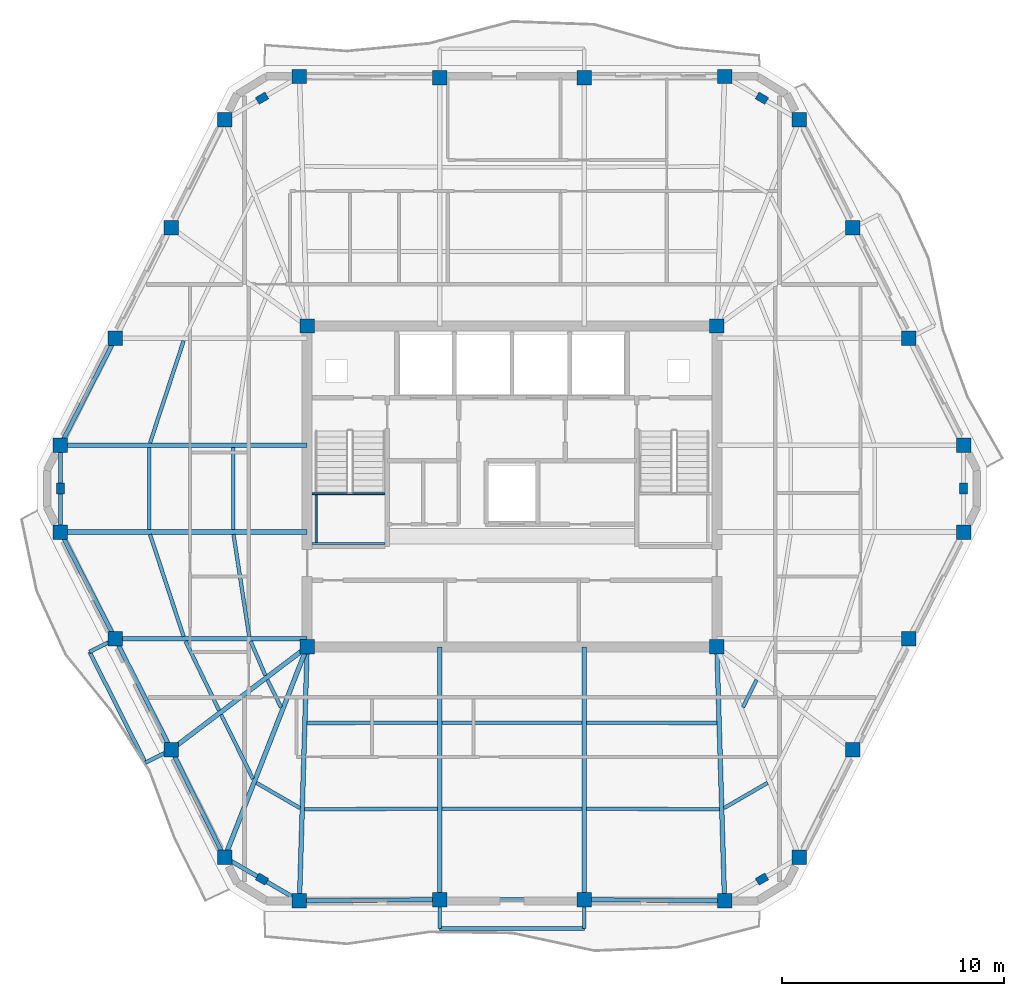
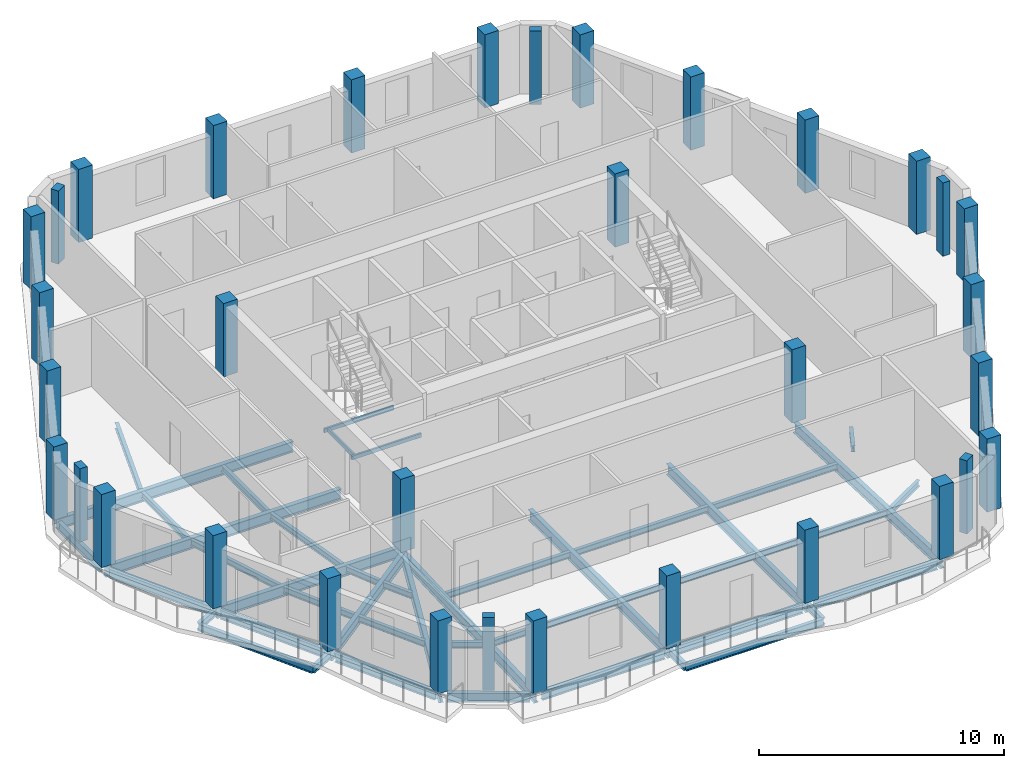
# One storey, part 1 of 10: 45 beams, 34 columns.
"""IFC4 building model written with IfcOpenShell, lengths in metres."""

from ifc_helpers import new_model, si_unit, direction, frame, origin, origin_2d, place, context, subcontext, project, spatial, rectangle, hollow_rectangle, i_section, extrude, material, material_profile, profile_set, type_object, element, save


model = new_model("IFC4")

# Units and contexts
model_context = context("Model", 3, precision=1e-05, world=origin(), true_north=direction((0.0, 1.0)))
body_context = subcontext(model_context, "Body", "Model", "MODEL_VIEW")
ifc_project = project(units=[si_unit("LENGTHUNIT", "METRE"), si_unit("AREAUNIT", "SQUARE_METRE"), si_unit("VOLUMEUNIT", "CUBIC_METRE"), si_unit("PLANEANGLEUNIT", "RADIAN"), si_unit("MASSUNIT", "GRAM", prefix="KILO")], contexts=[model_context])

# Site, building, storey
site_placement = place(None, origin())
site = spatial("IfcSite", under=ifc_project, at=site_placement, CompositionType="ELEMENT")
building_placement = place(site_placement, origin())
building = spatial("IfcBuilding", under=site, at=building_placement, Name="Cinnabar Lancet Tower", CompositionType="ELEMENT")
storey_placement = place(building_placement, frame((0.0, 0.0, 263.5)))
storey = spatial("IfcBuildingStorey", under=building, at=storey_placement, Name="L70", CompositionType="ELEMENT", Elevation=263.5)

# Columns
ifc_material_1 = material(Name="Concrete C50/60", Category="concrete")
ifc_material_profile_1 = material_profile(ifc_material_1, rectangle(XDim=0.64990234375, YDim=0.64990234375, at=origin_2d()), Name="RC-COL 650x650")
ifc_profile_set_1 = profile_set([ifc_material_profile_1], Name="Concrete C50/60")
column_type_1 = type_object("IfcColumnType", Name="STR-COL-CORE-650B", PredefinedType="COLUMN", material=ifc_profile_set_1)
for number, where, z_axis, x_axis, name in (
    (1, (23.175048828125, 18.675048828125, 0.0), (0.0, 0.0, 1.0), (1.0, 0.0, 0.0), "L70 Core Corner Column SW"),
    (2, (41.625, 18.675048828125, 0.0), (0.0, 0.0, 1.0), (1.0, 0.0, 0.0), "L70 Core Corner Column SE"),
    (3, (41.625, 33.125, 0.0), (0.0, 0.0, 1.0), (1.0, 0.0, 0.0), "L70 Core Corner Column NE"),
    (4, (23.175048828125, 33.125, 0.0), (0.0, 0.0, 1.0), (1.0, 0.0, 0.0), "L70 Core Corner Column NW"),
):
    element("IfcColumn", number, at=place(storey_placement, frame(where, z_axis=z_axis, x_axis=x_axis)), inside=storey, type_object=column_type_1, Name=name, PredefinedType="COLUMN", context=body_context, shape_type="SweptSolid", body=[
        extrude(rectangle(XDim=0.64990234375, YDim=0.64990234375, at=origin_2d()), origin(), (0.0, 0.0, 1.0), 3.64990234375),
    ])
ifc_material_2 = material(Name="Concrete C60/75", Category="concrete")
ifc_material_profile_2 = material_profile(ifc_material_2, rectangle(XDim=0.5, YDim=0.35009765625, at=origin_2d()), Name="RC-PIL 500x350")
ifc_profile_set_2 = profile_set([ifc_material_profile_2], Name="Concrete C60/75")
column_type_2 = type_object("IfcColumnType", Name="STR-COL-PIL-500", PredefinedType="PILASTER", material=ifc_profile_set_2)
for number, where, z_axis, x_axis, name in (
    (5, (21.14306640625, 8.215087890625, 0.0), (0.0, 0.0, 1.0), (0.865256437757, -0.501329529272, 0.0), "L70 Chamfered Corner Pilaster 1"),
    (6, (43.656982421875, 8.215087890625, 0.0), (0.0, 0.0, 1.0), (0.865256437757, 0.501329529272, 0.0), "L70 Chamfered Corner Pilaster 2"),
    (7, (52.737060546875, 25.800048828125, 0.0), (0.0, 0.0, 1.0), (0.0, 1.0, 0.0), "L70 Chamfered Corner Pilaster 3"),
    (8, (43.656982421875, 43.385009765625, 0.0), (0.0, 0.0, 1.0), (-0.865256437757, 0.501329529272, 0.0), "L70 Chamfered Corner Pilaster 4"),
    (9, (21.14306640625, 43.385009765625, 0.0), (0.0, 0.0, 1.0), (-0.865256437757, -0.501329529272, 0.0), "L70 Chamfered Corner Pilaster 5"),
    (10, (12.06298828125, 25.800048828125, 0.0), (0.0, 0.0, 1.0), (0.0, -1.0, 0.0), "L70 Chamfered Corner Pilaster 6"),
):
    element("IfcColumn", number, at=place(storey_placement, frame(where, z_axis=z_axis, x_axis=x_axis)), inside=storey, type_object=column_type_2, Name=name, PredefinedType="PILASTER", context=body_context, shape_type="SweptSolid", body=[
        extrude(rectangle(XDim=0.5, YDim=0.35009765625, at=origin_2d()), origin(), (0.0, 0.0, 1.0), 3.64990234375),
    ])
ifc_material_3 = material(Name="Concrete C50/60", Category="concrete")
ifc_material_profile_3 = material_profile(ifc_material_3, rectangle(XDim=0.64990234375, YDim=0.64990234375, at=origin_2d()), Name="RC-COL 650x650")
ifc_profile_set_3 = profile_set([ifc_material_profile_3], Name="Concrete C50/60")
column_type_3 = type_object("IfcColumnType", Name="STR-COL-TUBE-650", PredefinedType="COLUMN", material=ifc_profile_set_3)
for number, where, z_axis, x_axis, name in (
    (11, (22.827880859375, 7.239013671875, 0.0), (0.0, 0.0, 1.0), (1.0, 0.0, 0.0), "L70 Perimeter Tube Column 1"),
    (12, (29.14599609375, 7.2919921875, 0.0), (0.0, 0.0, 1.0), (1.0, 0.0, 0.0), "L70 Perimeter Tube Column 2"),
    (13, (35.654052734375, 7.2919921875, 0.0), (0.0, 0.0, 1.0), (1.0, 0.0, 0.0), "L70 Perimeter Tube Column 3"),
    (14, (41.971923828125, 7.239013671875, 0.0), (0.0, 0.0, 1.0), (1.0, 0.0, 0.0), "L70 Perimeter Tube Column 4"),
    (15, (45.341064453125, 9.19091796875, 0.0), (0.0, 0.0, 1.0), (1.0, 0.0, 0.0), "L70 Perimeter Tube Column 5"),
    (16, (47.7490234375, 14.0458984375, 0.0), (0.0, 0.0, 1.0), (1.0, 0.0, 0.0), "L70 Perimeter Tube Column 6"),
    (17, (50.263916015625, 19.032958984375, 0.0), (0.0, 0.0, 1.0), (1.0, 0.0, 0.0), "L70 Perimeter Tube Column 7"),
    (18, (52.737060546875, 23.844970703125, 0.0), (0.0, 0.0, 1.0), (1.0, 0.0, 0.0), "L70 Perimeter Tube Column 8"),
    (19, (52.737060546875, 27.7548828125, 0.0), (0.0, 0.0, 1.0), (1.0, 0.0, 0.0), "L70 Perimeter Tube Column 9"),
    (20, (50.263916015625, 32.56689453125, 0.0), (0.0, 0.0, 1.0), (1.0, 0.0, 0.0), "L70 Perimeter Tube Column 10"),
    (21, (47.7490234375, 37.553955078125, 0.0), (0.0, 0.0, 1.0), (1.0, 0.0, 0.0), "L70 Perimeter Tube Column 11"),
    (22, (45.341064453125, 42.408935546875, 0.0), (0.0, 0.0, 1.0), (1.0, 0.0, 0.0), "L70 Perimeter Tube Column 12"),
    (23, (41.971923828125, 44.361083984375, 0.0), (0.0, 0.0, 1.0), (1.0, 0.0, 0.0), "L70 Perimeter Tube Column 13"),
    (24, (35.654052734375, 44.30810546875, 0.0), (0.0, 0.0, 1.0), (1.0, 0.0, 0.0), "L70 Perimeter Tube Column 14"),
    (25, (29.14599609375, 44.30810546875, 0.0), (0.0, 0.0, 1.0), (1.0, 0.0, 0.0), "L70 Perimeter Tube Column 15"),
    (26, (22.827880859375, 44.361083984375, 0.0), (0.0, 0.0, 1.0), (1.0, 0.0, 0.0), "L70 Perimeter Tube Column 16"),
    (27, (19.458984375, 42.408935546875, 0.0), (0.0, 0.0, 1.0), (1.0, 0.0, 0.0), "L70 Perimeter Tube Column 17"),
    (28, (17.051025390625, 37.553955078125, 0.0), (0.0, 0.0, 1.0), (1.0, 0.0, 0.0), "L70 Perimeter Tube Column 18"),
    (29, (14.535888671875, 32.56689453125, 0.0), (0.0, 0.0, 1.0), (1.0, 0.0, 0.0), "L70 Perimeter Tube Column 19"),
    (30, (12.06298828125, 27.7548828125, 0.0), (0.0, 0.0, 1.0), (1.0, 0.0, 0.0), "L70 Perimeter Tube Column 20"),
    (31, (12.06298828125, 23.844970703125, 0.0), (0.0, 0.0, 1.0), (1.0, 0.0, 0.0), "L70 Perimeter Tube Column 21"),
    (32, (14.535888671875, 19.032958984375, 0.0), (0.0, 0.0, 1.0), (1.0, 0.0, 0.0), "L70 Perimeter Tube Column 22"),
    (33, (17.051025390625, 14.0458984375, 0.0), (0.0, 0.0, 1.0), (1.0, 0.0, 0.0), "L70 Perimeter Tube Column 23"),
    (34, (19.458984375, 9.19091796875, 0.0), (0.0, 0.0, 1.0), (1.0, 0.0, 0.0), "L70 Perimeter Tube Column 24"),
):
    element("IfcColumn", number, at=place(storey_placement, frame(where, z_axis=z_axis, x_axis=x_axis)), inside=storey, type_object=column_type_3, Name=name, PredefinedType="COLUMN", context=body_context, shape_type="SweptSolid", body=[
        extrude(rectangle(XDim=0.64990234375, YDim=0.64990234375, at=origin_2d()), origin(), (0.0, 0.0, 1.0), 3.64990234375),
    ])

# Beams
ifc_material_4 = material(Name="Structural steel S355", Category="steel")
ifc_material_profile_4 = material_profile(ifc_material_4, i_section(OverallWidth=0.1650390625, OverallDepth=0.303466796875, WebThickness=0.006103515625, FlangeThickness=0.01025390625, FilletRadius=0.0087890625, at=origin_2d()), Name="UKB 305x165x40")
ifc_profile_set_4 = profile_set([ifc_material_profile_4], Name="Structural steel S355")
beam_type_1 = type_object("IfcBeamType", Name="STR-BM-JST-305", PredefinedType="JOIST", material=ifc_profile_set_4)
beam_1_placement = place(storey_placement, frame((16.097900390625, 23.739990234375, -0.35205078125), z_axis=(0.312536616989, -0.949905712711, 0.0), x_axis=(0.949905712711, 0.312536616989, 0.0)))
element("IfcBeam", 35, at=beam_1_placement, inside=storey, type_object=beam_type_1, Name="L70 Secondary Floor Joist 1", PredefinedType="JOIST", context=body_context, shape_type="SweptSolid", body=[
    extrude(i_section(OverallWidth=0.1650390625, OverallDepth=0.303466796875, WebThickness=0.006103515625, FlangeThickness=0.01025390625, FilletRadius=0.0087890625, at=origin_2d()), origin(), (0.0, 0.0, 1.0), 4.8447265625),
])
beam_2_placement = place(storey_placement, frame((19.85791015625, 23.739990234375, -0.35205078125), z_axis=(0.152262059154, -0.988340156698, 0.0), x_axis=(0.988340156698, 0.152262059154, 0.0)))
element("IfcBeam", 36, at=beam_2_placement, inside=storey, type_object=beam_type_1, Name="L70 Secondary Floor Joist 2", PredefinedType="JOIST", context=body_context, shape_type="SweptSolid", body=[
    extrude(i_section(OverallWidth=0.1650390625, OverallDepth=0.303466796875, WebThickness=0.006103515625, FlangeThickness=0.01025390625, FilletRadius=0.0087890625, at=origin_2d()), origin(), (0.0, 0.0, 1.0), 4.65625),
])
beam_3_placement = place(storey_placement, frame((17.697021484375, 18.927978515625, -0.35205078125), z_axis=(0.43610936109, -0.899893674369, 0.0), x_axis=(0.899893674369, 0.43610936109, 0.0)))
element("IfcBeam", 37, at=beam_3_placement, inside=storey, type_object=beam_type_1, Name="L70 Secondary Floor Joist 3", PredefinedType="JOIST", context=body_context, shape_type="SweptSolid", body=[
    extrude(i_section(OverallWidth=0.1650390625, OverallDepth=0.303466796875, WebThickness=0.006103515625, FlangeThickness=0.01025390625, FilletRadius=0.0087890625, at=origin_2d()), origin(), (0.0, 0.0, 1.0), 3.467041015625),
])
beam_4_placement = place(storey_placement, frame((20.62890625, 18.927978515625, -0.35205078125), z_axis=(0.396302440144, -0.91812002262, 0.0), x_axis=(0.91812002262, 0.396302440144, 0.0)))
element("IfcBeam", 38, at=beam_4_placement, inside=storey, type_object=beam_type_1, Name="L70 Secondary Floor Joist 4", PredefinedType="JOIST", context=body_context, shape_type="SweptSolid", body=[
    extrude(i_section(OverallWidth=0.1650390625, OverallDepth=0.303466796875, WebThickness=0.006103515625, FlangeThickness=0.01025390625, FilletRadius=0.0087890625, at=origin_2d()), origin(), (0.0, 0.0, 1.0), 1.6806640625),
])
beam_5_placement = place(storey_placement, frame((19.302978515625, 15.616943359375, -0.35205078125), z_axis=(0.444330443712, -0.895862967641, 0.0), x_axis=(0.895862967641, 0.444330443712, 0.0)))
element("IfcBeam", 39, at=beam_5_placement, inside=storey, type_object=beam_type_1, Name="L70 Secondary Floor Joist 5", PredefinedType="JOIST", context=body_context, shape_type="SweptSolid", body=[
    extrude(i_section(OverallWidth=0.1650390625, OverallDepth=0.303466796875, WebThickness=0.006103515625, FlangeThickness=0.01025390625, FilletRadius=0.0087890625, at=origin_2d()), origin(), (0.0, 0.0, 1.0), 3.220458984375),
])
beam_6_placement = place(storey_placement, frame((21.385009765625, 17.19091796875, -0.35205078125), z_axis=(0.444093192127, -0.89598060063, 0.0), x_axis=(0.89598060063, 0.444093192127, 0.0)))
element("IfcBeam", 40, at=beam_6_placement, inside=storey, type_object=beam_type_1, Name="L70 Secondary Floor Joist 6", PredefinedType="JOIST", context=body_context, shape_type="SweptSolid", body=[
    extrude(i_section(OverallWidth=0.1650390625, OverallDepth=0.303466796875, WebThickness=0.006103515625, FlangeThickness=0.01025390625, FilletRadius=0.0087890625, at=origin_2d()), origin(), (0.0, 0.0, 1.0), 1.378173828125),
])
beam_7_placement = place(storey_placement, frame((20.887939453125, 12.552001953125, -0.35205078125), z_axis=(0.865426285481, -0.501036270542, 0.0), x_axis=(0.501036270542, 0.865426285481, 0.0)))
element("IfcBeam", 41, at=beam_7_placement, inside=storey, type_object=beam_type_1, Name="L70 Secondary Floor Joist 7", PredefinedType="JOIST", context=body_context, shape_type="SweptSolid", body=[
    extrude(i_section(OverallWidth=0.1650390625, OverallDepth=0.303466796875, WebThickness=0.006103515625, FlangeThickness=0.01025390625, FilletRadius=0.0087890625, at=origin_2d()), origin(), (0.0, 0.0, 1.0), 2.267333984375),
])
beam_8_placement = place(storey_placement, frame((23.05810546875, 11.35693359375, -0.35205078125), z_axis=(0.999985712428, 0.005345553266, 0.0), x_axis=(-0.005345553266, 0.999985712428, 0.0)))
element("IfcBeam", 42, at=beam_8_placement, inside=storey, type_object=beam_type_1, Name="L70 Secondary Floor Joist 8", PredefinedType="JOIST", context=body_context, shape_type="SweptSolid", body=[
    extrude(i_section(OverallWidth=0.1650390625, OverallDepth=0.303466796875, WebThickness=0.006103515625, FlangeThickness=0.01025390625, FilletRadius=0.0087890625, at=origin_2d()), origin(), (0.0, 0.0, 1.0), 5.98291015625),
])
beam_9_placement = place(storey_placement, frame((23.176025390625, 15.243896484375, -0.35205078125), z_axis=(0.999996226008, 0.002747356738, 0.0), x_axis=(-0.002747356738, 0.999996226008, 0.0)))
element("IfcBeam", 43, at=beam_9_placement, inside=storey, type_object=beam_type_1, Name="L70 Secondary Floor Joist 9", PredefinedType="JOIST", context=body_context, shape_type="SweptSolid", body=[
    extrude(i_section(OverallWidth=0.1650390625, OverallDepth=0.303466796875, WebThickness=0.006103515625, FlangeThickness=0.01025390625, FilletRadius=0.0087890625, at=origin_2d()), origin(), (0.0, 0.0, 1.0), 5.864990234375),
])
for number, where, z_axis, x_axis, name in (
    (44, (29.2509765625, 11.389892578125, -0.35205078125), (1.0, 0.0, 0.0), (0.0, 1.0, 0.0), "L70 Secondary Floor Joist 10"),
    (45, (29.2509765625, 15.260009765625, -0.35205078125), (1.0, 0.0, 0.0), (0.0, 1.0, 0.0), "L70 Secondary Floor Joist 11"),
):
    element("IfcBeam", number, at=place(storey_placement, frame(where, z_axis=z_axis, x_axis=x_axis)), inside=storey, type_object=beam_type_1, Name=name, PredefinedType="JOIST", context=body_context, shape_type="SweptSolid", body=[
        extrude(i_section(OverallWidth=0.1650390625, OverallDepth=0.303466796875, WebThickness=0.006103515625, FlangeThickness=0.01025390625, FilletRadius=0.0087890625, at=origin_2d()), origin(), (0.0, 0.0, 1.0), 6.298095703125),
    ])
beam_10_placement = place(storey_placement, frame((35.759033203125, 11.388916015625, -0.35205078125), z_axis=(0.999985712428, -0.005345553266, 0.0), x_axis=(0.005345553266, 0.999985712428, 0.0)))
element("IfcBeam", 46, at=beam_10_placement, inside=storey, type_object=beam_type_1, Name="L70 Secondary Floor Joist 12", PredefinedType="JOIST", context=body_context, shape_type="SweptSolid", body=[
    extrude(i_section(OverallWidth=0.1650390625, OverallDepth=0.303466796875, WebThickness=0.006103515625, FlangeThickness=0.01025390625, FilletRadius=0.0087890625, at=origin_2d()), origin(), (0.0, 0.0, 1.0), 5.98291015625),
])
beam_11_placement = place(storey_placement, frame((35.759033203125, 15.260009765625, -0.35205078125), z_axis=(0.999996226008, -0.002747356738, 0.0), x_axis=(0.002747356738, 0.999996226008, 0.0)))
element("IfcBeam", 47, at=beam_11_placement, inside=storey, type_object=beam_type_1, Name="L70 Secondary Floor Joist 13", PredefinedType="JOIST", context=body_context, shape_type="SweptSolid", body=[
    extrude(i_section(OverallWidth=0.1650390625, OverallDepth=0.303466796875, WebThickness=0.006103515625, FlangeThickness=0.01025390625, FilletRadius=0.0087890625, at=origin_2d()), origin(), (0.0, 0.0, 1.0), 5.864990234375),
])
beam_12_placement = place(storey_placement, frame((41.949951171875, 11.416015625, -0.35205078125), z_axis=(0.865426285481, 0.501036270542, 0.0), x_axis=(-0.501036270542, 0.865426285481, 0.0)))
element("IfcBeam", 48, at=beam_12_placement, inside=storey, type_object=beam_type_1, Name="L70 Secondary Floor Joist 14", PredefinedType="JOIST", context=body_context, shape_type="SweptSolid", body=[
    extrude(i_section(OverallWidth=0.1650390625, OverallDepth=0.303466796875, WebThickness=0.006103515625, FlangeThickness=0.01025390625, FilletRadius=0.0087890625, at=origin_2d()), origin(), (0.0, 0.0, 1.0), 2.267333984375),
])
beam_13_placement = place(storey_placement, frame((42.802978515625, 15.9560546875, -0.35205078125), z_axis=(0.444093192127, 0.89598060063, 0.0), x_axis=(-0.89598060063, 0.444093192127, 0.0)))
element("IfcBeam", 49, at=beam_13_placement, inside=storey, type_object=beam_type_1, Name="L70 Secondary Floor Joist 16", PredefinedType="JOIST", context=body_context, shape_type="SweptSolid", body=[
    extrude(i_section(OverallWidth=0.1650390625, OverallDepth=0.303466796875, WebThickness=0.006103515625, FlangeThickness=0.01025390625, FilletRadius=0.0087890625, at=origin_2d()), origin(), (0.0, 0.0, 1.0), 1.378173828125),
])
beam_14_placement = place(storey_placement, frame((17.612060546875, 32.4619140625, -0.35205078125), z_axis=(-0.312551578319, -0.949900790025, 0.0), x_axis=(0.949900790025, -0.312551578319, 0.0)))
element("IfcBeam", 50, at=beam_14_placement, inside=storey, type_object=beam_type_1, Name="L70 Secondary Floor Joist 41", PredefinedType="JOIST", context=body_context, shape_type="SweptSolid", body=[
    extrude(i_section(OverallWidth=0.1650390625, OverallDepth=0.303466796875, WebThickness=0.006103515625, FlangeThickness=0.01025390625, FilletRadius=0.0087890625, at=origin_2d()), origin(), (0.0, 0.0, 1.0), 4.844482421875),
])
for number, where, z_axis, x_axis, name in (
    (51, (16.06298828125, 27.64990234375, -0.35205078125), (0.0, -1.0, 0.0), (1.0, 0.0, 0.0), "L70 Secondary Floor Joist 43"),
    (52, (19.841064453125, 27.64990234375, -0.35205078125), (0.0, -1.0, 0.0), (1.0, 0.0, 0.0), "L70 Secondary Floor Joist 44"),
):
    element("IfcBeam", number, at=place(storey_placement, frame(where, z_axis=z_axis, x_axis=x_axis)), inside=storey, type_object=beam_type_1, Name=name, PredefinedType="JOIST", context=body_context, shape_type="SweptSolid", body=[
        extrude(i_section(OverallWidth=0.1650390625, OverallDepth=0.303466796875, WebThickness=0.006103515625, FlangeThickness=0.01025390625, FilletRadius=0.0087890625, at=origin_2d()), origin(), (0.0, 0.0, 1.0), 3.699951171875),
    ])
ifc_material_5 = material(Name="Structural steel S355", Category="steel")
ifc_material_profile_5 = material_profile(ifc_material_5, hollow_rectangle(XDim=0.10009765625, YDim=0.199951171875, WallThickness=0.008056640625, InnerFilletRadius=0.00390625, OuterFilletRadius=0.011962890625, at=origin_2d()), Name="RHS 200x100x8")
ifc_profile_set_5 = profile_set([ifc_material_profile_5], Name="Structural steel S355")
beam_type_2 = type_object("IfcBeamType", Name="STR-BM-LND-203", PredefinedType="BEAM", material=ifc_profile_set_5)
for number, where, z_axis, x_axis, name in (
    (53, (23.39990234375, 23.330078125, 1.52490234375), (1.0, 0.0, 0.0), (0.0, 1.0, 0.0), "L70 ST-1-L70 Landing Support Beam S"),
    (54, (23.39990234375, 25.570068359375, 1.52490234375), (1.0, 0.0, 0.0), (0.0, 1.0, 0.0), "L70 ST-1-L70 Landing Support Beam N"),
):
    element("IfcBeam", number, at=place(storey_placement, frame(where, z_axis=z_axis, x_axis=x_axis)), inside=storey, type_object=beam_type_2, Name=name, PredefinedType="BEAM", context=body_context, shape_type="SweptSolid", body=[
        extrude(hollow_rectangle(XDim=0.10009765625, YDim=0.199951171875, WallThickness=0.008056640625, InnerFilletRadius=0.00390625, OuterFilletRadius=0.011962890625, at=origin_2d()), origin(), (0.0, 0.0, 1.0), 3.280029296875),
    ])
beam_15_placement = place(storey_placement, frame((23.580078125, 23.3798828125, 1.52490234375), z_axis=(0.0, 1.0, 0.0), x_axis=(-1.0, 0.0, 0.0)))
element("IfcBeam", 55, at=beam_15_placement, inside=storey, type_object=beam_type_2, Name="L70 ST-1-L70 Landing Side Trimmer Beam", PredefinedType="BEAM", context=body_context, shape_type="SweptSolid", body=[
    extrude(hollow_rectangle(XDim=0.10009765625, YDim=0.199951171875, WallThickness=0.008056640625, InnerFilletRadius=0.00390625, OuterFilletRadius=0.011962890625, at=origin_2d()), origin(), (0.0, 0.0, 1.0), 2.14013671875),
])
ifc_material_6 = material(Name="Structural steel S355", Category="steel")
ifc_material_profile_6 = material_profile(ifc_material_6, i_section(OverallWidth=0.1904296875, OverallDepth=0.45703125, WebThickness=0.009033203125, FlangeThickness=0.014404296875, FilletRadius=0.01025390625, at=origin_2d()), Name="UKB 457x191x74")
ifc_profile_set_6 = profile_set([ifc_material_profile_6], Name="Structural steel S355")
beam_type_3 = type_object("IfcBeamType", Name="STR-BM-SPN-457", PredefinedType="SPANDREL", material=ifc_profile_set_6)
beam_16_placement = place(storey_placement, frame((23.077880859375, 7.240966796875, -0.427978515625), z_axis=(0.999964432412, 0.008434092187, 0.0), x_axis=(-0.008434092187, 0.999964432412, 0.0)))
element("IfcBeam", 56, at=beam_16_placement, inside=storey, type_object=beam_type_3, Name="L70 Perimeter Spandrel 1", PredefinedType="SPANDREL", context=body_context, shape_type="SweptSolid", body=[
    extrude(i_section(OverallWidth=0.1904296875, OverallDepth=0.45703125, WebThickness=0.009033203125, FlangeThickness=0.014404296875, FilletRadius=0.01025390625, at=origin_2d()), origin(), (0.0, 0.0, 1.0), 5.818359375),
])
beam_17_placement = place(storey_placement, frame((29.39599609375, 7.2919921875, -0.427978515625), z_axis=(1.0, 0.0, 0.0), x_axis=(0.0, 1.0, 0.0)))
element("IfcBeam", 57, at=beam_17_placement, inside=storey, type_object=beam_type_3, Name="L70 Perimeter Spandrel 2", PredefinedType="SPANDREL", context=body_context, shape_type="SweptSolid", body=[
    extrude(i_section(OverallWidth=0.1904296875, OverallDepth=0.45703125, WebThickness=0.009033203125, FlangeThickness=0.014404296875, FilletRadius=0.01025390625, at=origin_2d()), origin(), (0.0, 0.0, 1.0), 6.008056640625),
])
beam_18_placement = place(storey_placement, frame((35.904052734375, 7.2900390625, -0.427978515625), z_axis=(0.999964429427, -0.00843444609, 0.0), x_axis=(0.00843444609, 0.999964429427, 0.0)))
element("IfcBeam", 58, at=beam_18_placement, inside=storey, type_object=beam_type_3, Name="L70 Perimeter Spandrel 3", PredefinedType="SPANDREL", context=body_context, shape_type="SweptSolid", body=[
    extrude(i_section(OverallWidth=0.1904296875, OverallDepth=0.45703125, WebThickness=0.009033203125, FlangeThickness=0.014404296875, FilletRadius=0.01025390625, at=origin_2d()), origin(), (0.0, 0.0, 1.0), 5.818115234375),
])
beam_19_placement = place(storey_placement, frame((14.422119140625, 32.344970703125, -0.427978515625), z_axis=(-0.457148063427, -0.889390604912, 0.0), x_axis=(0.889390604912, -0.457148063427, 0.0)))
element("IfcBeam", 59, at=beam_19_placement, inside=storey, type_object=beam_type_3, Name="L70 Perimeter Spandrel 19", PredefinedType="SPANDREL", context=body_context, shape_type="SweptSolid", body=[
    extrude(i_section(OverallWidth=0.1904296875, OverallDepth=0.45703125, WebThickness=0.009033203125, FlangeThickness=0.014404296875, FilletRadius=0.01025390625, at=origin_2d()), origin(), (0.0, 0.0, 1.0), 4.9111328125),
])
beam_20_placement = place(storey_placement, frame((12.06298828125, 27.5048828125, -0.427978515625), z_axis=(0.0, -1.0, 0.0), x_axis=(1.0, 0.0, 0.0)))
element("IfcBeam", 60, at=beam_20_placement, inside=storey, type_object=beam_type_3, Name="L70 Perimeter Spandrel 20", PredefinedType="SPANDREL", context=body_context, shape_type="SweptSolid", body=[
    extrude(i_section(OverallWidth=0.1904296875, OverallDepth=0.45703125, WebThickness=0.009033203125, FlangeThickness=0.014404296875, FilletRadius=0.01025390625, at=origin_2d()), origin(), (0.0, 0.0, 1.0), 3.409912109375),
])
beam_21_placement = place(storey_placement, frame((12.177001953125, 23.623046875, -0.427978515625), z_axis=(0.457127852293, -0.889400993174, 0.0), x_axis=(0.889400993174, 0.457127852293, 0.0)))
element("IfcBeam", 61, at=beam_21_placement, inside=storey, type_object=beam_type_3, Name="L70 Perimeter Spandrel 21", PredefinedType="SPANDREL", context=body_context, shape_type="SweptSolid", body=[
    extrude(i_section(OverallWidth=0.1904296875, OverallDepth=0.45703125, WebThickness=0.009033203125, FlangeThickness=0.014404296875, FilletRadius=0.01025390625, at=origin_2d()), origin(), (0.0, 0.0, 1.0), 4.911376953125),
])
beam_22_placement = place(storey_placement, frame((14.64892578125, 18.81005859375, -0.427978515625), z_axis=(0.450130146726, -0.892962961722, 0.0), x_axis=(0.892962961722, 0.450130146726, 0.0)))
element("IfcBeam", 62, at=beam_22_placement, inside=storey, type_object=beam_type_3, Name="L70 Perimeter Spandrel 22", PredefinedType="SPANDREL", context=body_context, shape_type="SweptSolid", body=[
    extrude(i_section(OverallWidth=0.1904296875, OverallDepth=0.45703125, WebThickness=0.009033203125, FlangeThickness=0.014404296875, FilletRadius=0.01025390625, at=origin_2d()), origin(), (0.0, 0.0, 1.0), 5.08544921875),
])
beam_23_placement = place(storey_placement, frame((17.162109375, 13.822021484375, -0.427978515625), z_axis=(0.44433276947, -0.895861814107, 0.0), x_axis=(0.895861814107, 0.44433276947, 0.0)))
element("IfcBeam", 63, at=beam_23_placement, inside=storey, type_object=beam_type_3, Name="L70 Perimeter Spandrel 23", PredefinedType="SPANDREL", context=body_context, shape_type="SweptSolid", body=[
    extrude(i_section(OverallWidth=0.1904296875, OverallDepth=0.45703125, WebThickness=0.009033203125, FlangeThickness=0.014404296875, FilletRadius=0.01025390625, at=origin_2d()), origin(), (0.0, 0.0, 1.0), 4.919189453125),
])
beam_24_placement = place(storey_placement, frame((19.675048828125, 9.06591796875, -0.427978515625), z_axis=(0.865230894194, -0.50137361292, 0.0), x_axis=(0.50137361292, 0.865230894194, 0.0)))
element("IfcBeam", 64, at=beam_24_placement, inside=storey, type_object=beam_type_3, Name="L70 Perimeter Spandrel 24", PredefinedType="SPANDREL", context=body_context, shape_type="SweptSolid", body=[
    extrude(i_section(OverallWidth=0.1904296875, OverallDepth=0.45703125, WebThickness=0.009033203125, FlangeThickness=0.014404296875, FilletRadius=0.01025390625, at=origin_2d()), origin(), (0.0, 0.0, 1.0), 3.39453125),
])
ifc_material_7 = material(Name="Structural steel S355", Category="steel")
ifc_material_profile_7 = material_profile(ifc_material_7, i_section(OverallWidth=0.209228515625, OverallDepth=0.533203125, WebThickness=0.010009765625, FlangeThickness=0.015625, FilletRadius=0.0126953125, at=origin_2d()), Name="UKB 533x210x92")
ifc_profile_set_7 = profile_set([ifc_material_profile_7], Name="Structural steel S355")
beam_type_4 = type_object("IfcBeamType", Name="STR-BM-UKB533-92", PredefinedType="BEAM", material=ifc_profile_set_7)
beam_25_placement = place(storey_placement, frame((17.051025390625, 14.0458984375, -0.467041015625), z_axis=(0.797735075719, 0.603008083667, 0.0), x_axis=(-0.603008083667, 0.797735075719, 0.0)))
element("IfcBeam", 65, at=beam_25_placement, inside=storey, type_object=beam_type_4, Name="L70 Corner Collector Girder 1", PredefinedType="BEAM", context=body_context, shape_type="SweptSolid", body=[
    extrude(i_section(OverallWidth=0.209228515625, OverallDepth=0.533203125, WebThickness=0.010009765625, FlangeThickness=0.015625, FilletRadius=0.0126953125, at=origin_2d()), origin(), (0.0, 0.0, 1.0), 7.6767578125),
])
beam_26_placement = place(storey_placement, frame((22.827880859375, 7.239013671875, -0.467041015625), z_axis=(0.030343393029, 0.999539533235, 0.0), x_axis=(-0.999539533235, 0.030343393029, 0.0)))
element("IfcBeam", 66, at=beam_26_placement, inside=storey, type_object=beam_type_4, Name="L70 Primary Floor Girder 1", PredefinedType="BEAM", context=body_context, shape_type="SweptSolid", body=[
    extrude(i_section(OverallWidth=0.209228515625, OverallDepth=0.533203125, WebThickness=0.010009765625, FlangeThickness=0.015625, FilletRadius=0.0126953125, at=origin_2d()), origin(), (0.0, 0.0, 1.0), 11.44140625),
])
for number, where, z_axis, x_axis, name in (
    (67, (29.14599609375, 7.2919921875, -0.467041015625), (0.0, 1.0, 0.0), (-1.0, 0.0, 0.0), "L70 Primary Floor Girder 2"),
    (68, (35.654052734375, 7.2919921875, -0.467041015625), (0.0, 1.0, 0.0), (-1.0, 0.0, 0.0), "L70 Primary Floor Girder 3"),
):
    element("IfcBeam", number, at=place(storey_placement, frame(where, z_axis=z_axis, x_axis=x_axis)), inside=storey, type_object=beam_type_4, Name=name, PredefinedType="BEAM", context=body_context, shape_type="SweptSolid", body=[
        extrude(i_section(OverallWidth=0.209228515625, OverallDepth=0.533203125, WebThickness=0.010009765625, FlangeThickness=0.015625, FilletRadius=0.0126953125, at=origin_2d()), origin(), (0.0, 0.0, 1.0), 11.383056640625),
    ])
beam_27_placement = place(storey_placement, frame((41.971923828125, 7.239013671875, -0.467041015625), z_axis=(-0.030322074123, 0.999540180193, 0.0), x_axis=(-0.999540180193, -0.030322074123, 0.0)))
element("IfcBeam", 69, at=beam_27_placement, inside=storey, type_object=beam_type_4, Name="L70 Primary Floor Girder 4", PredefinedType="BEAM", context=body_context, shape_type="SweptSolid", body=[
    extrude(i_section(OverallWidth=0.209228515625, OverallDepth=0.533203125, WebThickness=0.010009765625, FlangeThickness=0.015625, FilletRadius=0.0126953125, at=origin_2d()), origin(), (0.0, 0.0, 1.0), 11.44140625),
])
for number, where, z_axis, x_axis, name in (
    (70, (12.06298828125, 27.7548828125, -0.467041015625), (1.0, 0.0, 0.0), (0.0, 1.0, 0.0), "L70 Primary Floor Girder 20"),
    (71, (12.06298828125, 23.844970703125, -0.467041015625), (1.0, 0.0, 0.0), (0.0, 1.0, 0.0), "L70 Primary Floor Girder 21"),
):
    element("IfcBeam", number, at=place(storey_placement, frame(where, z_axis=z_axis, x_axis=x_axis)), inside=storey, type_object=beam_type_4, Name=name, PredefinedType="BEAM", context=body_context, shape_type="SweptSolid", body=[
        extrude(i_section(OverallWidth=0.209228515625, OverallDepth=0.533203125, WebThickness=0.010009765625, FlangeThickness=0.015625, FilletRadius=0.0126953125, at=origin_2d()), origin(), (0.0, 0.0, 1.0), 11.112060546875),
    ])
beam_28_placement = place(storey_placement, frame((14.535888671875, 19.032958984375, -0.467041015625), z_axis=(1.0, 0.0, 0.0), x_axis=(0.0, 1.0, 0.0)))
element("IfcBeam", 72, at=beam_28_placement, inside=storey, type_object=beam_type_4, Name="L70 Primary Floor Girder 22", PredefinedType="BEAM", context=body_context, shape_type="SweptSolid", body=[
    extrude(i_section(OverallWidth=0.209228515625, OverallDepth=0.533203125, WebThickness=0.010009765625, FlangeThickness=0.015625, FilletRadius=0.0126953125, at=origin_2d()), origin(), (0.0, 0.0, 1.0), 8.63916015625),
])
beam_29_placement = place(storey_placement, frame((19.458984375, 9.19091796875, -0.467041015625), z_axis=(0.364815017375, 0.931080019707, 0.0), x_axis=(-0.931080019707, 0.364815017375, 0.0)))
element("IfcBeam", 73, at=beam_29_placement, inside=storey, type_object=beam_type_4, Name="L70 Primary Floor Girder 24", PredefinedType="BEAM", context=body_context, shape_type="SweptSolid", body=[
    extrude(i_section(OverallWidth=0.209228515625, OverallDepth=0.533203125, WebThickness=0.010009765625, FlangeThickness=0.015625, FilletRadius=0.0126953125, at=origin_2d()), origin(), (0.0, 0.0, 1.0), 10.186279296875),
])
ifc_material_8 = material(Name="Structural steel S355", Category="steel")
ifc_material_profile_8 = material_profile(ifc_material_8, i_section(OverallWidth=0.17138671875, OverallDepth=0.35498046875, WebThickness=0.00732421875, FlangeThickness=0.011474609375, FilletRadius=0.01025390625, at=origin_2d()), Name="UKB 356x171x51")
ifc_profile_set_8 = profile_set([ifc_material_profile_8], Name="Structural steel S355")
beam_type_5 = type_object("IfcBeamType", Name="STR-BM-WAV-OUT", PredefinedType="BEAM", material=ifc_profile_set_8)
for number, where, z_axis, x_axis, name in (
    (74, (29.14599609375, 7.2919921875, -0.39794921875), (0.0, -1.0, 0.0), (1.0, 0.0, 0.0), "L70 Face 1 Balcony Outlooker A"),
    (75, (35.654052734375, 7.2919921875, -0.39794921875), (0.0, -1.0, 0.0), (1.0, 0.0, 0.0), "L70 Face 1 Balcony Outlooker B"),
    (76, (14.535888671875, 19.032958984375, -0.39794921875), (-0.89227592947, -0.451490493464, 0.0), (0.451490493464, -0.89227592947, 0.0), "L70 Face 6 Balcony Outlooker A"),
    (77, (17.051025390625, 14.0458984375, -0.39794921875), (-0.89227592947, -0.451490493464, 0.0), (0.451490493464, -0.89227592947, 0.0), "L70 Face 6 Balcony Outlooker B"),
):
    element("IfcBeam", number, at=place(storey_placement, frame(where, z_axis=z_axis, x_axis=x_axis)), inside=storey, type_object=beam_type_5, Name=name, PredefinedType="BEAM", context=body_context, shape_type="SweptSolid", body=[
        extrude(i_section(OverallWidth=0.17138671875, OverallDepth=0.35498046875, WebThickness=0.00732421875, FlangeThickness=0.011474609375, FilletRadius=0.01025390625, at=origin_2d()), origin(), (0.0, 0.0, 1.0), 1.300048828125),
    ])
ifc_material_9 = material(Name="Structural steel S355", Category="steel")
ifc_material_profile_9 = material_profile(ifc_material_9, i_section(OverallWidth=0.17138671875, OverallDepth=0.35498046875, WebThickness=0.00732421875, FlangeThickness=0.011474609375, FilletRadius=0.01025390625, at=origin_2d()), Name="UKB 356x171x51")
ifc_profile_set_9 = profile_set([ifc_material_profile_9], Name="Structural steel S355")
beam_type_6 = type_object("IfcBeamType", Name="STR-BM-WAV-TRIM", PredefinedType="SPANDREL", material=ifc_profile_set_9)
beam_30_placement = place(storey_placement, frame((29.14599609375, 5.991943359375, -0.39794921875), z_axis=(1.0, 0.0, 0.0), x_axis=(0.0, 1.0, 0.0)))
element("IfcBeam", 78, at=beam_30_placement, inside=storey, type_object=beam_type_6, Name="L70 Face 1 Balcony Edge Trimmer", PredefinedType="SPANDREL", context=body_context, shape_type="SweptSolid", body=[
    extrude(i_section(OverallWidth=0.17138671875, OverallDepth=0.35498046875, WebThickness=0.00732421875, FlangeThickness=0.011474609375, FilletRadius=0.01025390625, at=origin_2d()), origin(), (0.0, 0.0, 1.0), 6.508056640625),
])
beam_31_placement = place(storey_placement, frame((13.3759765625, 18.446044921875, -0.39794921875), z_axis=(0.450305622338, -0.892874485295, 0.0), x_axis=(0.892874485295, 0.450305622338, 0.0)))
element("IfcBeam", 79, at=beam_31_placement, inside=storey, type_object=beam_type_6, Name="L70 Face 6 Balcony Edge Trimmer", PredefinedType="SPANDREL", context=body_context, shape_type="SweptSolid", body=[
    extrude(i_section(OverallWidth=0.17138671875, OverallDepth=0.35498046875, WebThickness=0.00732421875, FlangeThickness=0.011474609375, FilletRadius=0.01025390625, at=origin_2d()), origin(), (0.0, 0.0, 1.0), 5.58544921875),
])

save(model, "model.ifc")
